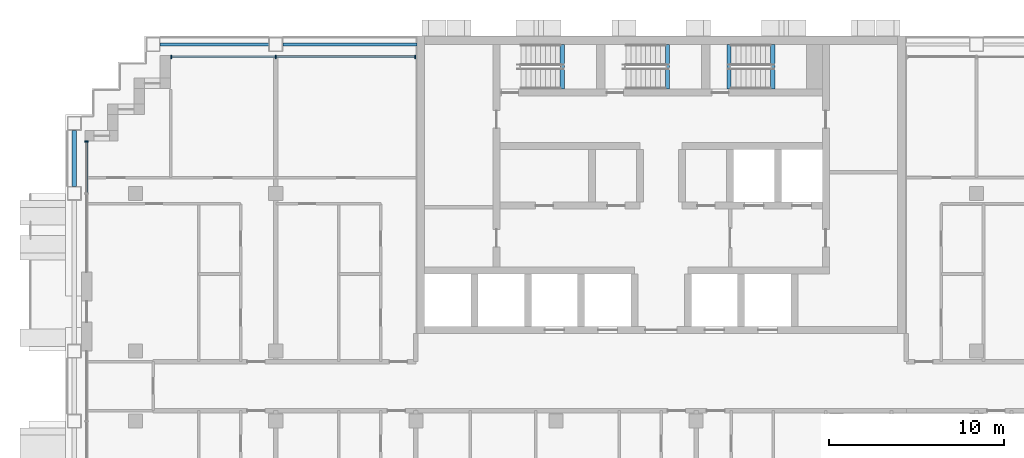
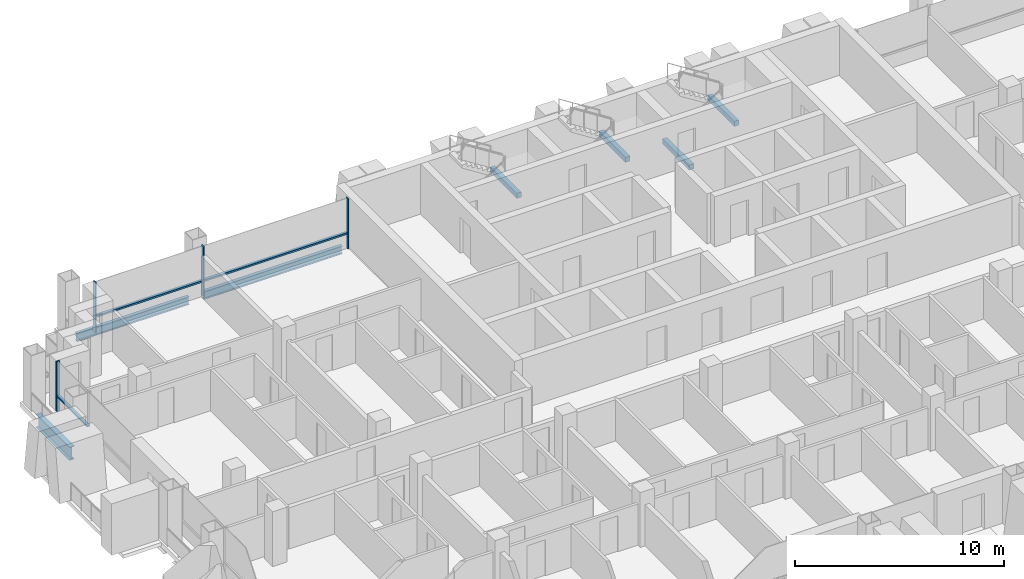
# One storey, part 4 of 18: 7 beams, 7 members, 2 elements without a shape of their own.
"""IFC4 building model written with IfcOpenShell, lengths in metres."""

from ifc_helpers import new_model, si_unit, direction, frame, origin, origin_2d, place, context, subcontext, project, spatial, rectangle, i_section, extrude, material, material_profile, profile_set, type_object, element, aggregate, save


model = new_model("IFC4")

# Units and contexts
model_context = context("Model", 3, precision=1e-05, world=origin(), true_north=direction((0.0, 1.0)))
body_context = subcontext(model_context, "Body", "Model", "MODEL_VIEW")
ifc_project = project(units=[si_unit("LENGTHUNIT", "METRE"), si_unit("AREAUNIT", "SQUARE_METRE"), si_unit("VOLUMEUNIT", "CUBIC_METRE"), si_unit("PLANEANGLEUNIT", "RADIAN"), si_unit("MASSUNIT", "GRAM", prefix="KILO")], contexts=[model_context])

# Site, building, storey
site_placement = place(None, origin())
site = spatial("IfcSite", under=ifc_project, at=site_placement, CompositionType="ELEMENT")
building_placement = place(site_placement, origin())
building = spatial("IfcBuilding", under=site, at=building_placement, Name="Vidyagriha Tower", CompositionType="ELEMENT")
storey_placement = place(building_placement, frame((0.0, 0.0, 123.0)))
storey = spatial("IfcBuildingStorey", under=building, at=storey_placement, Name="L31", CompositionType="ELEMENT", Elevation=123.0)

# Beams
ifc_material_1 = material(Name="Steel ASTM A992 Grade 50", Category="steel")
ifc_material_profile_1 = material_profile(ifc_material_1, i_section(OverallWidth=0.2666015625, OverallDepth=0.76953125, WebThickness=0.015625, FlangeThickness=0.025390625, at=origin_2d()), Name="W30X132")
ifc_profile_set_1 = profile_set([ifc_material_profile_1], Name="Steel ASTM A992 Grade 50")
beam_type_1 = type_object("IfcBeamType", Name="Cantilever edge beam W30X132", PredefinedType="SPANDREL", material=ifc_profile_set_1)
beam_1_placement = place(storey_placement, frame((-33.5, 11.39990234375, -0.664794921875), z_axis=(0.0, 1.0, 0.0), x_axis=(-1.0, 0.0, 0.0)))
element("IfcBeam", 1, at=beam_1_placement, inside=storey, type_object=beam_type_1, Name="st-beam-L31-W13", PredefinedType="SPANDREL", context=body_context, shape_type="SweptSolid", body=[
    extrude(i_section(OverallWidth=0.2666015625, OverallDepth=0.76953125, WebThickness=0.015625, FlangeThickness=0.025390625, at=origin_2d()), origin(), (0.0, 0.0, 1.0), 3.2001953125),
])
ifc_material_2 = material(Name="Steel ASTM A992 Grade 50", Category="steel")
ifc_material_profile_2 = material_profile(ifc_material_2, i_section(OverallWidth=0.19189453125, OverallDepth=0.46240234375, WebThickness=0.010498046875, FlangeThickness=0.017578125, at=origin_2d()), Name="W18X60")
ifc_profile_set_2 = profile_set([ifc_material_profile_2], Name="Steel ASTM A992 Grade 50")
beam_type_2 = type_object("IfcBeamType", Name="Edge beam W18X60", PredefinedType="SPANDREL", material=ifc_profile_set_2)
beam_2_placement = place(storey_placement, frame((-28.60009765625, 19.5, -0.51123046875), z_axis=(1.0, 0.0, 0.0), x_axis=(0.0, 1.0, 0.0)))
element("IfcBeam", 2, at=beam_2_placement, inside=storey, type_object=beam_type_2, Name="st-beam-L31-NW19", PredefinedType="SPANDREL", context=body_context, shape_type="SweptSolid", body=[
    extrude(i_section(OverallWidth=0.19189453125, OverallDepth=0.46240234375, WebThickness=0.010498046875, FlangeThickness=0.017578125, at=origin_2d()), origin(), (0.0, 0.0, 1.0), 6.2001953125),
])
beam_3_placement = place(storey_placement, frame((-21.60009765625, 19.5, -0.51123046875), z_axis=(1.0, 0.0, 0.0), x_axis=(0.0, 1.0, 0.0)))
element("IfcBeam", 3, at=beam_3_placement, inside=storey, type_object=beam_type_2, Name="st-beam-L31-NC22", PredefinedType="SPANDREL", context=body_context, shape_type="SweptSolid", body=[
    extrude(i_section(OverallWidth=0.19189453125, OverallDepth=0.46240234375, WebThickness=0.010498046875, FlangeThickness=0.017578125, at=origin_2d()), origin(), (0.0, 0.0, 1.0), 7.650146484375),
])

# Curtain wall, members
ifc_material_3 = material(Name="Aluminium and glass curtain wall", Category="aluminium")
curtain_wall_type = type_object("IfcCurtainWallType", Name="Dwelling skin unitised curtain wall", PredefinedType="USERDEFINED", material=ifc_material_3)
curtain_wall_1_placement = place(storey_placement, origin())
curtain_wall_1 = element("IfcCurtainWall", 4, at=curtain_wall_1_placement, inside=storey, type_object=curtain_wall_type, Name="CW1 dwelling skin", ObjectType="UNITISED", PredefinedType="USERDEFINED")
ifc_material_4 = material(Name="Aluminium black anodised", Category="aluminium")
ifc_material_profile_3 = material_profile(ifc_material_4, rectangle(XDim=0.199951171875, YDim=0.070068359375, at=origin_2d()), Name="Mullion 70x200 black aluminium")
ifc_profile_set_3 = profile_set([ifc_material_profile_3], Name="Aluminium black anodised")
member_type_1 = type_object("IfcMemberType", Name="Mullion 70x200 black aluminium", PredefinedType="MULLION", material=ifc_profile_set_3)
member_1_placement = place(storey_placement, frame((-14.034912109375, 18.800048828125, 0.0), z_axis=(0.0, 0.0, 1.0), x_axis=(0.0, -1.0, 0.0)))
member_1 = element("IfcMember", 5, at=member_1_placement, type_object=member_type_1, Name="CW1 mullion 1", PredefinedType="MULLION", context=body_context, shape_type="SweptSolid", body=[
    extrude(rectangle(XDim=0.199951171875, YDim=0.070068359375, at=origin_2d()), origin(), (0.0, 0.0, 1.0), 2.919921875),
])
member_2_placement = place(storey_placement, frame((-22.0, 18.800048828125, 0.0), z_axis=(0.0, 0.0, 1.0), x_axis=(0.0, -1.0, 0.0)))
member_2 = element("IfcMember", 6, at=member_2_placement, type_object=member_type_1, Name="CW1 mullion 2", PredefinedType="MULLION", context=body_context, shape_type="SweptSolid", body=[
    extrude(rectangle(XDim=0.199951171875, YDim=0.070068359375, at=origin_2d()), origin(), (0.0, 0.0, 1.0), 2.919921875),
])
member_3_placement = place(storey_placement, frame((-27.965087890625, 18.800048828125, 0.0), z_axis=(0.0, 0.0, 1.0), x_axis=(0.0, -1.0, 0.0)))
member_3 = element("IfcMember", 7, at=member_3_placement, type_object=member_type_1, Name="CW1 mullion 3", PredefinedType="MULLION", context=body_context, shape_type="SweptSolid", body=[
    extrude(rectangle(XDim=0.199951171875, YDim=0.070068359375, at=origin_2d()), origin(), (0.0, 0.0, 1.0), 2.919921875),
])

# Curtain wall, member
curtain_wall_2_placement = place(storey_placement, origin())
curtain_wall_2 = element("IfcCurtainWall", 8, at=curtain_wall_2_placement, inside=storey, type_object=curtain_wall_type, Name="CW1 dwelling skin", ObjectType="UNITISED", PredefinedType="USERDEFINED")
member_4_placement = place(storey_placement, frame((-32.800048828125, 13.965087890625, 0.0)))
member_4 = element("IfcMember", 9, at=member_4_placement, type_object=member_type_1, Name="CW1 mullion 1", PredefinedType="MULLION", context=body_context, shape_type="SweptSolid", body=[
    extrude(rectangle(XDim=0.199951171875, YDim=0.070068359375, at=origin_2d()), origin(), (0.0, 0.0, 1.0), 2.919921875),
])

# Beams
ifc_material_5 = material(Name="Concrete C40/50", Category="concrete")
ifc_material_profile_4 = material_profile(ifc_material_5, rectangle(XDim=0.25, YDim=0.300048828125, at=origin_2d()), Name="Stair landing bearing beam 250x300")
ifc_profile_set_4 = profile_set([ifc_material_profile_4], Name="Concrete C40/50")
beam_type_3 = type_object("IfcBeamType", Name="Stair landing bearing beam 250x300", PredefinedType="BEAM", material=ifc_profile_set_4)
for number, where, z_axis, x_axis, name in (
    (10, (3.875, 16.949951171875, -0.429931640625), (0.0, 1.0, 0.0), (-1.0, 0.0, 0.0), "ST3 floor landing bearing beam L31"),
    (11, (-5.635009765625, 16.949951171875, 1.25), (0.0, 1.0, 0.0), (-1.0, 0.0, 0.0), "ST1 landing bearing beam L31"),
    (12, (0.364990234375, 16.949951171875, 1.25), (0.0, 1.0, 0.0), (-1.0, 0.0, 0.0), "ST2 landing bearing beam L31"),
    (13, (6.364990234375, 16.949951171875, 1.25), (0.0, 1.0, 0.0), (-1.0, 0.0, 0.0), "ST3 landing bearing beam L31"),
):
    element("IfcBeam", number, at=place(storey_placement, frame(where, z_axis=z_axis, x_axis=x_axis)), inside=storey, type_object=beam_type_3, Name=name, PredefinedType="BEAM", context=body_context, shape_type="SweptSolid", body=[
        extrude(rectangle(XDim=0.25, YDim=0.300048828125, at=origin_2d()), origin(), (0.0, 0.0, 1.0), 2.550048828125),
    ])

# Member
ifc_material_6 = material(Name="Aluminium black anodised", Category="aluminium")
ifc_material_profile_5 = material_profile(ifc_material_6, rectangle(XDim=0.159912109375, YDim=0.10009765625, at=origin_2d()), Name="Transom 100x160 black aluminium")
ifc_profile_set_5 = profile_set([ifc_material_profile_5], Name="Aluminium black anodised")
member_type_2 = type_object("IfcMemberType", Name="Transom 100x160 black aluminium", PredefinedType="USERDEFINED", material=ifc_profile_set_5)
member_5_placement = place(storey_placement, frame((-14.070068359375, 18.800048828125, 0.89990234375), z_axis=(-1.0, 0.0, 0.0), x_axis=(0.0, -1.0, 0.0)))
member_5 = element("IfcMember", 14, at=member_5_placement, type_object=member_type_2, Name="CW1 transom 1.1", ObjectType="TRANSOM", PredefinedType="USERDEFINED", context=body_context, shape_type="SweptSolid", body=[
    extrude(rectangle(XDim=0.159912109375, YDim=0.10009765625, at=origin_2d()), origin(), (0.0, 0.0, 1.0), 7.89501953125),
])

member_6_placement = place(storey_placement, frame((-22.034912109375, 18.800048828125, 0.89990234375), z_axis=(-1.0, 0.0, 0.0), x_axis=(0.0, -1.0, 0.0)))
member_6 = element("IfcMember", 15, at=member_6_placement, type_object=member_type_2, Name="CW1 transom 2.1", ObjectType="TRANSOM", PredefinedType="USERDEFINED", context=body_context, shape_type="SweptSolid", body=[
    extrude(rectangle(XDim=0.159912109375, YDim=0.10009765625, at=origin_2d()), origin(), (0.0, 0.0, 1.0), 5.89501953125),
])

aggregate(curtain_wall_1, [member_1, member_2, member_3, member_5, member_6])

member_7_placement = place(storey_placement, frame((-32.800048828125, 13.929931640625, 0.89990234375), z_axis=(0.0, -1.0, 0.0), x_axis=(1.0, 0.0, 0.0)))
member_7 = element("IfcMember", 16, at=member_7_placement, type_object=member_type_2, Name="CW1 transom 1.1", ObjectType="TRANSOM", PredefinedType="USERDEFINED", context=body_context, shape_type="SweptSolid", body=[
    extrude(rectangle(XDim=0.159912109375, YDim=0.10009765625, at=origin_2d()), origin(), (0.0, 0.0, 1.0), 2.89501953125),
])

aggregate(curtain_wall_2, [member_4, member_7])

save(model, "model.ifc")
